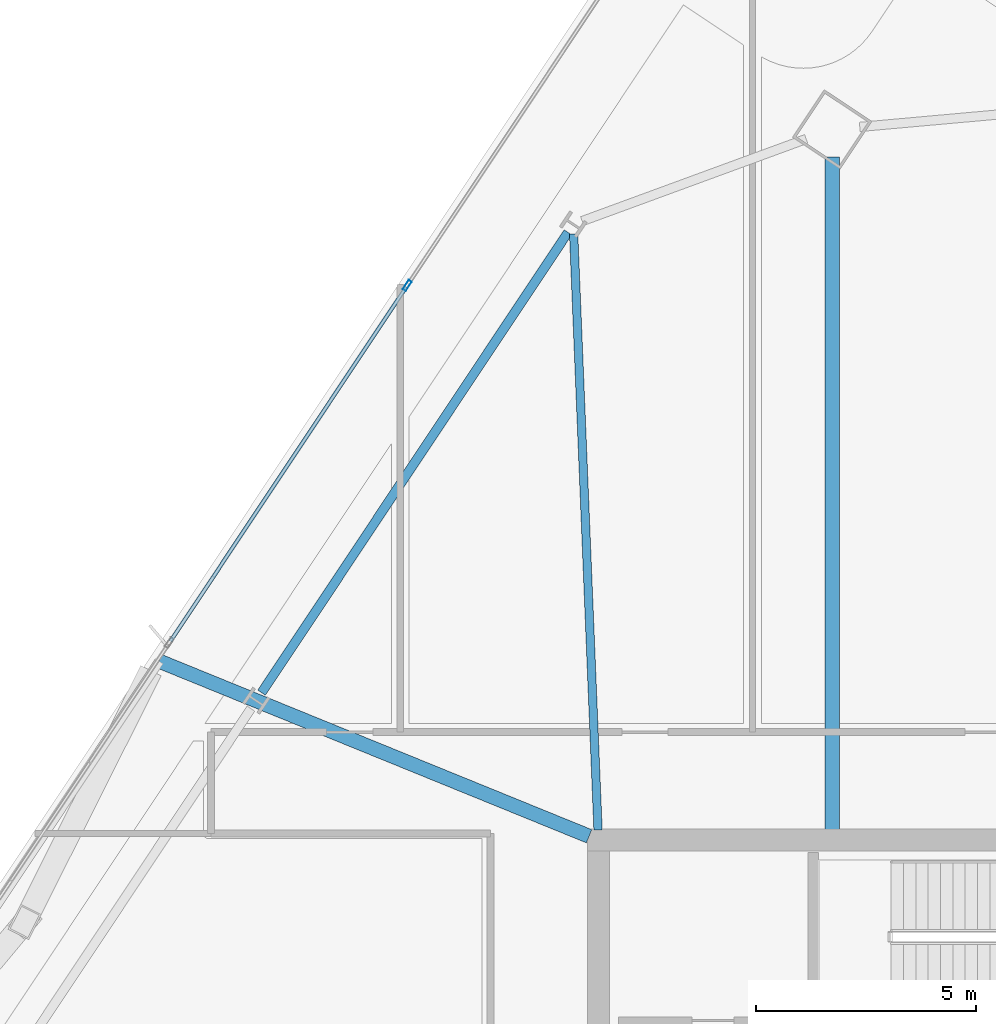
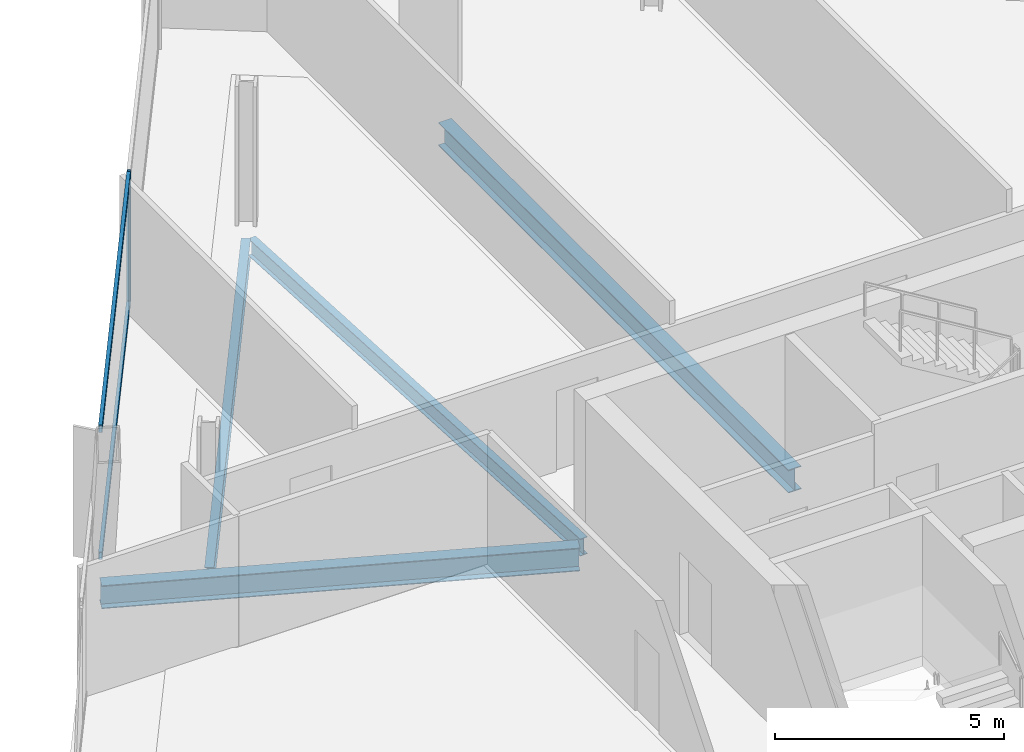
# One storey, part 15 of 32: 4 beams, 3 members, 1 element without a shape of its own.
"""IFC4 building model written with IfcOpenShell, lengths in metres."""

from ifc_helpers import new_model, si_unit, direction, frame, origin, origin_2d, place, context, subcontext, project, spatial, hollow_rectangle, i_section, extrude, material, material_profile, profile_set, type_object, element, aggregate, save


model = new_model("IFC4")

# Units and contexts
model_context = context("Model", 3, precision=1e-05, world=origin(), true_north=direction((0.0, 1.0)))
body_context = subcontext(model_context, "Body", "Model", "MODEL_VIEW")
ifc_project = project(units=[si_unit("LENGTHUNIT", "METRE"), si_unit("AREAUNIT", "SQUARE_METRE"), si_unit("VOLUMEUNIT", "CUBIC_METRE"), si_unit("PLANEANGLEUNIT", "RADIAN"), si_unit("MASSUNIT", "GRAM", prefix="KILO")], contexts=[model_context])

# Site, building, storey
site_placement = place(None, origin())
site = spatial("IfcSite", under=ifc_project, at=site_placement, CompositionType="ELEMENT")
building_placement = place(site_placement, origin())
building = spatial("IfcBuilding", under=site, at=building_placement, Name="Haldenkirk Collegiate Tower", CompositionType="ELEMENT")
storey_placement = place(building_placement, frame((0.0, 0.0, 217.199951171875)))
storey = spatial("IfcBuildingStorey", under=building, at=storey_placement, Name="L54", CompositionType="ELEMENT", Elevation=217.199951171875)

# Beams
ifc_material_1 = material(Name="Steel ASTM A992 Grade 50", Category="steel")
ifc_material_profile_1 = material_profile(ifc_material_1, i_section(OverallWidth=0.324951171875, OverallDepth=0.615966796875, WebThickness=0.013916015625, FlangeThickness=0.021484375, at=origin_2d()), Name="W24X117")
ifc_profile_set_1 = profile_set([ifc_material_profile_1], Name="Steel ASTM A992 Grade 50")
beam_type_1 = type_object("IfcBeamType", Name="BM-GIRDER-W24X117", PredefinedType="BEAM", material=ifc_profile_set_1)
beam_1_placement = place(storey_placement, frame((32.30810546875, 49.5107421875, -0.587890625), z_axis=(0.0, -1.0, 0.0), x_axis=(1.0, 0.0, 0.0)))
element("IfcBeam", 1, at=beam_1_placement, inside=storey, type_object=beam_type_1, Name="L54 primary floor girder 03", PredefinedType="BEAM", context=body_context, shape_type="SweptSolid", body=[
    extrude(i_section(OverallWidth=0.324951171875, OverallDepth=0.615966796875, WebThickness=0.013916015625, FlangeThickness=0.021484375, at=origin_2d()), origin(), (0.0, 0.0, 1.0), 15.28076171875),
])
beam_2_placement = place(storey_placement, frame((17.0244140625, 38.062255859375, -0.587890625), z_axis=(0.926152293566, -0.377149743634, 0.0), x_axis=(0.377149743634, 0.926152293566, 0.0)))
element("IfcBeam", 2, at=beam_2_placement, inside=storey, type_object=beam_type_1, Name="L54 primary floor girder 12", PredefinedType="BEAM", context=body_context, shape_type="SweptSolid", body=[
    extrude(i_section(OverallWidth=0.324951171875, OverallDepth=0.615966796875, WebThickness=0.013916015625, FlangeThickness=0.021484375, at=origin_2d()), origin(), (0.0, 0.0, 1.0), 10.541015625),
])
ifc_material_profile_2 = material_profile(ifc_material_1, i_section(OverallWidth=0.18994140625, OverallDepth=0.45703125, WebThickness=0.009033203125, FlangeThickness=0.014404296875, at=origin_2d()), Name="W18X50")
ifc_profile_set_2 = profile_set([ifc_material_profile_2], Name="Steel ASTM A992 Grade 50")
beam_type_2 = type_object("IfcBeamType", Name="BM-JOIST-W18X50", PredefinedType="JOIST", material=ifc_profile_set_2)
beam_3_placement = place(storey_placement, frame((26.4365234375, 47.76708984375, -0.508544921875), z_axis=(0.040886268065, -0.999163806932, 0.0), x_axis=(0.999163806932, 0.040886268065, 0.0)))
element("IfcBeam", 3, at=beam_3_placement, inside=storey, type_object=beam_type_2, Name="L54 composite floor joist 11", PredefinedType="JOIST", context=body_context, shape_type="SweptSolid", body=[
    extrude(i_section(OverallWidth=0.18994140625, OverallDepth=0.45703125, WebThickness=0.009033203125, FlangeThickness=0.014404296875, at=origin_2d()), origin(), (0.0, 0.0, 1.0), 13.548583984375),
])
ifc_material_profile_3 = material_profile(ifc_material_1, i_section(OverallWidth=0.2099609375, OverallDepth=0.537109375, WebThickness=0.010986328125, FlangeThickness=0.017333984375, at=origin_2d()), Name="W21X68")
ifc_profile_set_3 = profile_set([ifc_material_profile_3], Name="Steel ASTM A992 Grade 50")
beam_type_3 = type_object("IfcBeamType", Name="BM-SPANDREL-W21X68", PredefinedType="SPANDREL", material=ifc_profile_set_3)
beam_4_placement = place(storey_placement, frame((26.3076171875, 47.80322265625, -0.54833984375), z_axis=(-0.554125989098, -0.832432813028, 0.0), x_axis=(0.832432813028, -0.554125989098, 0.0)))
element("IfcBeam", 4, at=beam_4_placement, inside=storey, type_object=beam_type_3, Name="L54 perimeter spandrel beam 10", PredefinedType="SPANDREL", context=body_context, shape_type="SweptSolid", body=[
    extrude(i_section(OverallWidth=0.2099609375, OverallDepth=0.537109375, WebThickness=0.010986328125, FlangeThickness=0.017333984375, at=origin_2d()), origin(), (0.0, 0.0, 1.0), 12.56201171875),
])

# Curtain wall, members
ifc_material_2 = material(Name="Anodised architectural bronze aluminium", Category="aluminium")
curtain_wall_type = type_object("IfcCurtainWallType", Name="CW-SYS1B-CONVEX-HI", PredefinedType="USERDEFINED", material=ifc_material_2)
curtain_wall_placement = place(storey_placement, origin())
curtain_wall = element("IfcCurtainWall", 5, at=curtain_wall_placement, inside=storey, type_object=curtain_wall_type, Name="L54 Upper tower high-wind convex bronze unitised curtain wall", ObjectType="UNITISED CURTAIN WALL", PredefinedType="USERDEFINED")
ifc_material_profile_4 = material_profile(ifc_material_2, hollow_rectangle(XDim=0.0849609375, YDim=0.25, WallThickness=0.0048828125, at=origin_2d()), Name="CW-MUL-1B")
ifc_profile_set_4 = profile_set([ifc_material_profile_4], Name="Anodised architectural bronze aluminium")
member_type_1 = type_object("IfcMemberType", Name="CW-MUL-1B", PredefinedType="MULLION", material=ifc_profile_set_4)
member_1_placement = place(storey_placement, frame((22.656005859375, 46.594970703125, 0.0), z_axis=(0.0, 0.0, 1.0), x_axis=(-0.832437073465, 0.554119588827, 0.0)))
member_1 = element("IfcMember", 6, at=member_1_placement, type_object=member_type_1, Name="CW-1B mullion 4", PredefinedType="MULLION", context=body_context, shape_type="SweptSolid", body=[
    extrude(hollow_rectangle(XDim=0.0849609375, YDim=0.25, WallThickness=0.0048828125, at=origin_2d()), origin(), (0.0, 0.0, 1.0), 3.469970703125),
])
ifc_material_profile_5 = material_profile(ifc_material_2, hollow_rectangle(XDim=0.0849609375, YDim=0.199951171875, WallThickness=0.0048828125, at=origin_2d()), Name="CW-TRN-1B")
ifc_profile_set_5 = profile_set([ifc_material_profile_5], Name="Anodised architectural bronze aluminium")
member_type_2 = type_object("IfcMemberType", Name="CW-TRN-1B", PredefinedType="USERDEFINED", material=ifc_profile_set_5)
member_2_placement = place(storey_placement, frame((17.277099609375, 38.51416015625, 0.04248046875), z_axis=(0.554117122534, 0.832438715171, 0.0), x_axis=(-0.832438715171, 0.554117122534, 0.0)))
member_2 = element("IfcMember", 7, at=member_2_placement, type_object=member_type_2, Name="CW-1B transom 3.1", ObjectType="TRANSOM", PredefinedType="USERDEFINED", context=body_context, shape_type="SweptSolid", body=[
    extrude(hollow_rectangle(XDim=0.0849609375, YDim=0.199951171875, WallThickness=0.0048828125, at=origin_2d()), origin(), (0.0, 0.0, 1.0), 9.664794921875),
])
member_3_placement = place(storey_placement, frame((17.277099609375, 38.51416015625, 3.427490234375), z_axis=(0.554117122534, 0.832438715171, 0.0), x_axis=(-0.832438715171, 0.554117122534, 0.0)))
member_3 = element("IfcMember", 8, at=member_3_placement, type_object=member_type_2, Name="CW-1B transom 3.2", ObjectType="TRANSOM", PredefinedType="USERDEFINED", context=body_context, shape_type="SweptSolid", body=[
    extrude(hollow_rectangle(XDim=0.0849609375, YDim=0.199951171875, WallThickness=0.0048828125, at=origin_2d()), origin(), (0.0, 0.0, 1.0), 9.664794921875),
])
aggregate(curtain_wall, [member_1, member_2, member_3])

save(model, "model.ifc")
